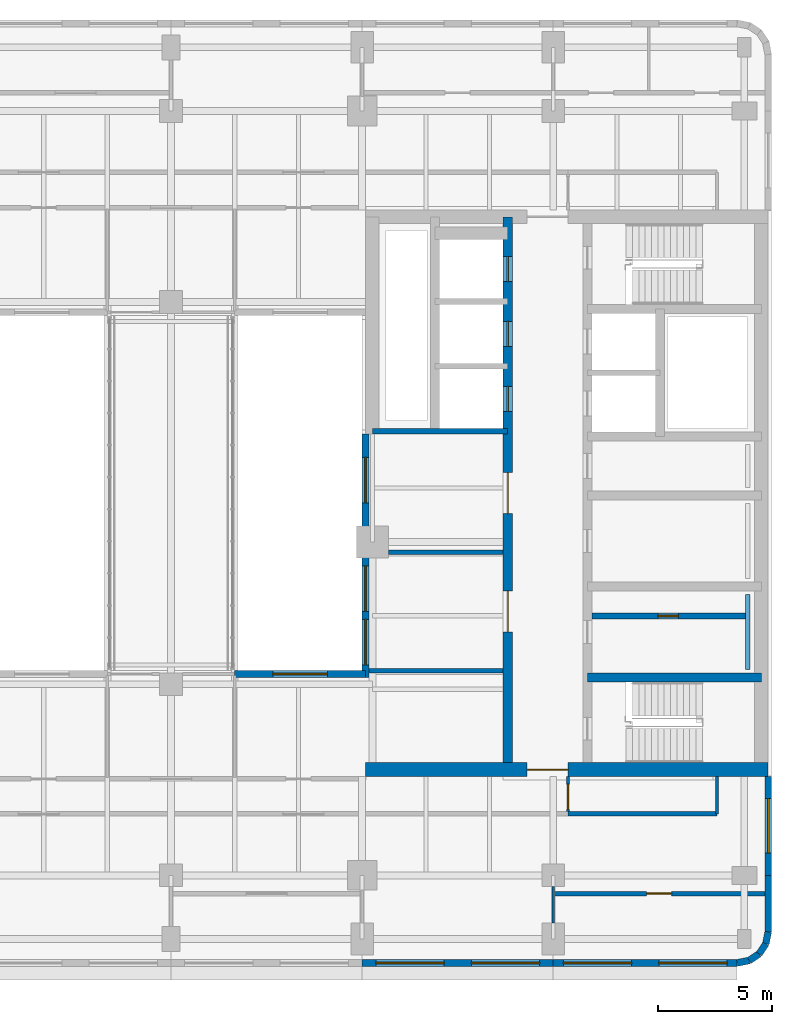
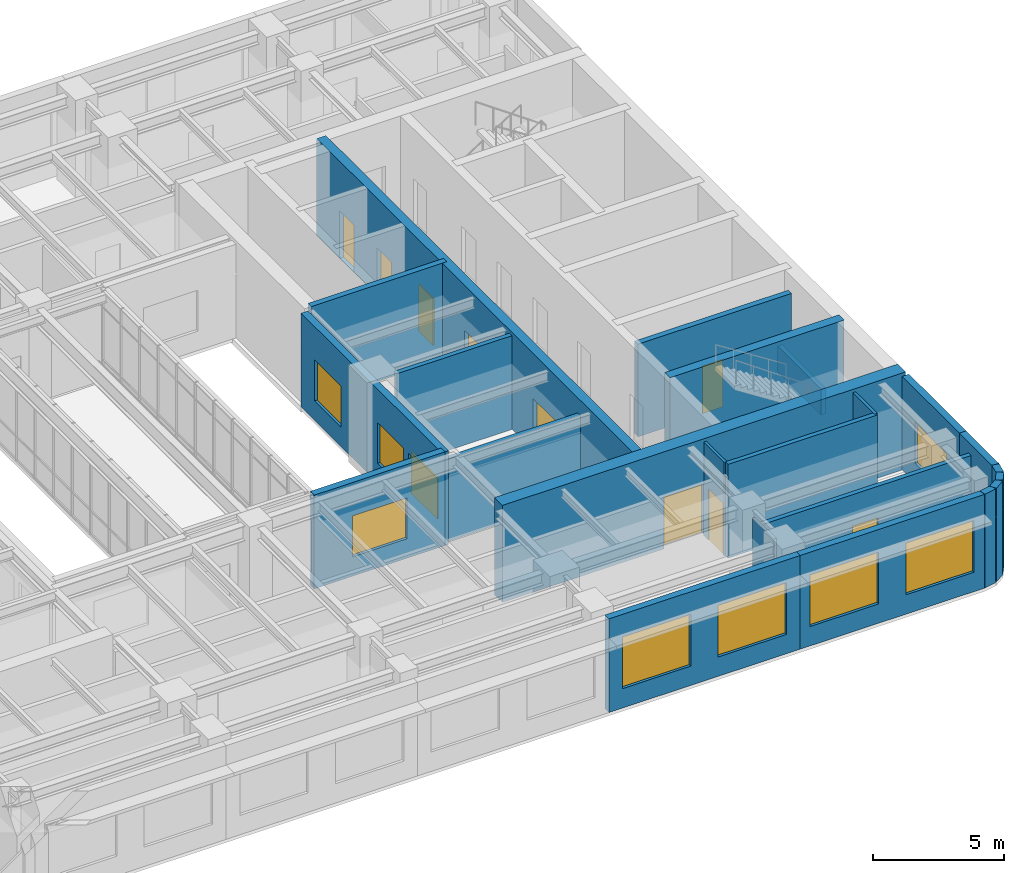
# One storey, part 8 of 14: 23 walls, 9 doors, 9 windows, 18 openings.
"""IFC4 building model written with IfcOpenShell, lengths in metres."""

from ifc_helpers import new_model, si_unit, direction, frame, frame_2d, origin, place, context, subcontext, project, spatial, rectangle, extrude, material, layer, layer_set, type_object, element, fill, save


model = new_model("IFC4")

# Units and contexts
model_context = context("Model", 3, precision=1e-05, world=origin(), true_north=direction((0.0, 1.0)))
body_context = subcontext(model_context, "Body", "Model", "MODEL_VIEW")
ifc_project = project(units=[si_unit("LENGTHUNIT", "METRE"), si_unit("AREAUNIT", "SQUARE_METRE"), si_unit("VOLUMEUNIT", "CUBIC_METRE"), si_unit("PLANEANGLEUNIT", "RADIAN"), si_unit("MASSUNIT", "GRAM", prefix="KILO")], contexts=[model_context])

# Site, building, storey
site_placement = place(None, origin())
site = spatial("IfcSite", under=ifc_project, at=site_placement, CompositionType="ELEMENT")
building_placement = place(site_placement, origin())
building = spatial("IfcBuilding", under=site, at=building_placement, Name="Claustro Exchange Tower", CompositionType="ELEMENT")
storey_placement = place(building_placement, frame((0.0, 0.0, 250.199951171875)))
storey = spatial("IfcBuildingStorey", under=building, at=storey_placement, Name="L57", CompositionType="ELEMENT", Elevation=250.199951171875)

# Wall
ifc_material_1 = material(Name="Laminated glass in aluminium frame", Category="aluminium")
ifc_layer_1 = layer(ifc_material_1, 0.1201171875)
ifc_layer_set_1 = layer_set([ifc_layer_1], Name="Laminated glass in aluminium frame")
wall_type_1 = type_object("IfcWallType", Name="P2 120 glazed partition", PredefinedType="PARTITIONING", material=ifc_layer_set_1)
wall_1_placement = place(storey_placement, frame((42.0, 6.299072265625, 0.0), z_axis=(0.0, 0.0, 1.0), x_axis=(0.0, 1.0, 0.0)))
element("IfcWall", 1, at=wall_1_placement, inside=storey, type_object=wall_type_1, Name="Partition P2 L57", PredefinedType="PARTITIONING", context=body_context, shape_type="SweptSolid", body=[
    extrude(rectangle(XDim=1.60302734375, YDim=0.1201171875, at=frame_2d((0.801513671875, 0.0))), origin(), (0.0, 0.0, 1.0), 3.989990234375),
])

# Wall, opening, door
wall_2_placement = place(storey_placement, frame((42.64990234375, 11.197998046875, 0.0), z_axis=(0.0, 0.0, 1.0), x_axis=(0.0, 1.0, 0.0)))
wall_2 = element("IfcWall", 2, at=wall_2_placement, inside=storey, type_object=wall_type_1, Name="Partition P2 L57", PredefinedType="PARTITIONING", context=body_context, shape_type="SweptSolid", body=[
    extrude(rectangle(XDim=1.553955078125, YDim=0.1201171875, at=frame_2d((0.77685546875, 0.0))), origin(), (0.0, 0.0, 1.0), 4.35009765625),
])
opening_1_placement = place(wall_2_placement, frame((0.10205078125, 0.0, 0.0)))
opening_1 = element("IfcOpeningElement", 3, at=opening_1_placement, cuts=wall_2, Name="Opening D8", PredefinedType="OPENING", context=body_context, shape_type="SweptSolid", body=[
    extrude(rectangle(XDim=1.10009765625, YDim=2.39990234375, at=frame_2d((0.550048828125, 1.199951171875))), frame((0.0, 0.070068359375, 0.0), z_axis=(0.0, -1.0, 0.0), x_axis=(1.0, 0.0, 0.0)), (0.0, 0.0, 1.0), 0.14013671875),
])
ifc_material_2 = material(Name="Timber door, walnut veneer", Category="wood")
door_type_1 = type_object("IfcDoorType", Name="D8 1100 x 2400 executive door", OperationType="SINGLE_SWING_LEFT", PredefinedType="DOOR", material=ifc_material_2)
door_1_placement = place(opening_1_placement, frame((1.10009765625, 0.0, 0.0), z_axis=(0.0, 0.0, 1.0), x_axis=(-1.0, 0.0, 0.0)))
door_1 = element("IfcDoor", 4, at=door_1_placement, inside=storey, type_object=door_type_1, Name="Door D8 L57", OperationType="SINGLE_SWING_LEFT", OverallHeight=2.39990234375, OverallWidth=1.10009765625, PredefinedType="DOOR", context=body_context, shape_type="SweptSolid", body=[
    extrude(rectangle(XDim=1.10009765625, YDim=2.39990234375, at=frame_2d((0.550048828125, 1.199951171875))), frame((0.0, 0.02490234375, 0.0), z_axis=(0.0, -1.0, 0.0), x_axis=(1.0, 0.0, 0.0)), (0.0, 0.0, 1.0), 0.050048828125),
])
fill(opening_1, door_1)

# Walls
wall_3_placement = place(storey_placement, frame((49.199951171875, 11.10009765625, 0.0), z_axis=(0.0, 0.0, 1.0), x_axis=(0.0, 1.0, 0.0)))
element("IfcWall", 5, at=wall_3_placement, inside=storey, type_object=wall_type_1, Name="Partition P2 L57", PredefinedType="PARTITIONING", context=body_context, shape_type="SweptSolid", body=[
    extrude(rectangle(XDim=1.65185546875, YDim=0.1201171875, at=frame_2d((0.825927734375, 0.0))), origin(), (0.0, 0.0, 1.0), 4.35009765625),
])
ifc_material_3 = material(Name="Twin-skin gypsum board on steel studs, mineral wool", Category="steel")
ifc_layer_2 = layer(ifc_material_3, 0.199951171875)
ifc_layer_set_2 = layer_set([ifc_layer_2], Name="Twin-skin gypsum board on steel studs, mineral wool")
wall_type_2 = type_object("IfcWallType", Name="P3 200 acoustic partition", PredefinedType="PARTITIONING", material=ifc_layer_set_2)
wall_4_placement = place(storey_placement, frame((33.89794921875, 17.39990234375, 0.0), z_axis=(0.0, 0.0, 1.0), x_axis=(1.0, 0.0, 0.0)))
element("IfcWall", 6, at=wall_4_placement, inside=storey, type_object=wall_type_2, Name="Partition P3 L57", PredefinedType="PARTITIONING", context=body_context, shape_type="SweptSolid", body=[
    extrude(rectangle(XDim=5.904052734375, YDim=0.199951171875, at=frame_2d((2.9521484375, 0.0))), origin(), (0.0, 0.0, 1.0), 3.800048828125),
])
wall_5_placement = place(storey_placement, frame((34.7490234375, 22.60009765625, 0.0), z_axis=(0.0, 0.0, 1.0), x_axis=(1.0, 0.0, 0.0)))
element("IfcWall", 7, at=wall_5_placement, inside=storey, type_object=wall_type_2, Name="Partition P3 L57", PredefinedType="PARTITIONING", context=body_context, shape_type="SweptSolid", body=[
    extrude(rectangle(XDim=5.052978515625, YDim=0.199951171875, at=frame_2d((2.5263671875, 0.0))), origin(), (0.0, 0.0, 1.0), 4.35009765625),
])

# Wall, opening, door
wall_6_placement = place(storey_placement, frame((42.0, 7.60009765625, 0.0), z_axis=(0.0, 0.0, 1.0), x_axis=(1.0, 0.0, 0.0)))
wall_6 = element("IfcWall", 8, at=wall_6_placement, inside=storey, type_object=wall_type_2, Name="Partition P3 L57", PredefinedType="PARTITIONING", context=body_context, shape_type="SweptSolid", body=[
    extrude(rectangle(XDim=9.302001953125, YDim=0.199951171875, at=frame_2d((4.65087890625, 0.0))), origin(), (0.0, 0.0, 1.0), 3.860107421875),
])
opening_2_placement = place(wall_6_placement, frame((4.10009765625, 0.0, 0.0)))
opening_2 = element("IfcOpeningElement", 9, at=opening_2_placement, cuts=wall_6, Name="Opening D8", PredefinedType="OPENING", context=body_context, shape_type="SweptSolid", body=[
    extrude(rectangle(XDim=1.10009765625, YDim=2.39990234375, at=frame_2d((0.550048828125, 1.199951171875))), frame((0.0, 0.10986328125, 0.0), z_axis=(0.0, -1.0, 0.0), x_axis=(1.0, 0.0, 0.0)), (0.0, 0.0, 1.0), 0.219970703125),
])
door_2_placement = place(opening_2_placement, frame((1.10009765625, 0.0, 0.0), z_axis=(0.0, 0.0, 1.0), x_axis=(-1.0, 0.0, 0.0)))
door_2 = element("IfcDoor", 10, at=door_2_placement, inside=storey, type_object=door_type_1, Name="Door D8 L57", OperationType="SINGLE_SWING_RIGHT", OverallHeight=2.39990234375, OverallWidth=1.10009765625, PredefinedType="DOOR", context=body_context, shape_type="SweptSolid", body=[
    extrude(rectangle(XDim=1.10009765625, YDim=2.39990234375, at=frame_2d((0.550048828125, 1.199951171875))), frame((0.0, 0.02490234375, 0.0), z_axis=(0.0, -1.0, 0.0), x_axis=(1.0, 0.0, 0.0)), (0.0, 0.0, 1.0), 0.050048828125),
])
fill(opening_2, door_2)

# Wall
wall_7_placement = place(storey_placement, frame((42.64794921875, 11.10009765625, 0.0), z_axis=(0.0, 0.0, 1.0), x_axis=(1.0, 0.0, 0.0)))
element("IfcWall", 11, at=wall_7_placement, inside=storey, type_object=wall_type_2, Name="Partition P3 L57", PredefinedType="PARTITIONING", context=body_context, shape_type="SweptSolid", body=[
    extrude(rectangle(XDim=6.552001953125, YDim=0.199951171875, at=frame_2d((3.27587890625, 0.0))), origin(), (0.0, 0.0, 1.0), 4.35009765625),
])

# Wall, opening, door
ifc_material_4 = material(Name="Concrete blockwork, rendered", Category="masonry")
ifc_layer_3 = layer(ifc_material_4, 0.25)
ifc_layer_set_3 = layer_set([ifc_layer_3], Name="Concrete blockwork, rendered")
wall_type_3 = type_object("IfcWallType", Name="P4 250 blockwork wall", PredefinedType="PARTITIONING", material=ifc_layer_set_3)
wall_8_placement = place(storey_placement, frame((43.699951171875, 19.800048828125, 0.0), z_axis=(0.0, 0.0, 1.0), x_axis=(1.0, 0.0, 0.0)))
wall_8 = element("IfcWall", 12, at=wall_8_placement, inside=storey, type_object=wall_type_3, Name="Partition P4 L57", PredefinedType="PARTITIONING", context=body_context, shape_type="SweptSolid", body=[
    extrude(rectangle(XDim=6.75, YDim=0.25, at=frame_2d((3.375, 0.0))), origin(), (0.0, 0.0, 1.0), 4.300048828125),
])
opening_3_placement = place(wall_8_placement, frame((2.89990234375, 0.0, 0.0)))
opening_3 = element("IfcOpeningElement", 13, at=opening_3_placement, cuts=wall_8, Name="Opening D5", PredefinedType="OPENING", context=body_context, shape_type="SweptSolid", body=[
    extrude(rectangle(XDim=0.89990234375, YDim=2.199951171875, at=frame_2d((0.449951171875, 1.10009765625))), frame((0.0, 0.135009765625, 0.0), z_axis=(0.0, -1.0, 0.0), x_axis=(1.0, 0.0, 0.0)), (0.0, 0.0, 1.0), 0.27001953125),
])
ifc_material_5 = material(Name="Steel door, painted", Category="steel")
door_type_2 = type_object("IfcDoorType", Name="D5 900 x 2200 store door", OperationType="SINGLE_SWING_LEFT", PredefinedType="DOOR", material=ifc_material_5)
door_3_placement = place(opening_3_placement, origin())
door_3 = element("IfcDoor", 14, at=door_3_placement, inside=storey, type_object=door_type_2, Name="Store door D5 L57", OperationType="SINGLE_SWING_RIGHT", OverallHeight=2.199951171875, OverallWidth=0.89990234375, PredefinedType="DOOR", context=body_context, shape_type="SweptSolid", body=[
    extrude(rectangle(XDim=0.89990234375, YDim=2.199951171875, at=frame_2d((0.449951171875, 1.10009765625))), frame((0.0, 0.02490234375, 0.0), z_axis=(0.0, -1.0, 0.0), x_axis=(1.0, 0.0, 0.0)), (0.0, 0.0, 1.0), 0.050048828125),
])
fill(opening_3, door_3)

# Wall, openings, windows
ifc_material_6 = material(Name="Concrete HA-40 (C40/50), precast, white cement, acid-etched", Category="concrete")
ifc_layer_4 = layer(ifc_material_6, 0.300048828125)
ifc_layer_set_4 = layer_set([ifc_layer_4], Name="Concrete HA-40 (C40/50), precast, white cement, acid-etched")
wall_type_4 = type_object("IfcWallType", Name="PC1 300 precast concrete pier panel", PredefinedType="SOLIDWALL", material=ifc_layer_set_4)
wall_9_placement = place(storey_placement, frame((50.085205078125, 4.550048828125, 0.0), z_axis=(0.0, 0.0, 1.0), x_axis=(-1.0, 0.0, 0.0)))
wall_9 = element("IfcWall", 15, at=wall_9_placement, inside=storey, type_object=wall_type_4, Name="Precast pier panel PC1 L57", PredefinedType="SOLIDWALL", context=body_context, shape_type="SweptSolid", body=[
    extrude(rectangle(XDim=8.085205078125, YDim=0.300048828125, at=frame_2d((4.04248046875, 0.0))), origin(), (0.0, 0.0, 1.0), 4.35009765625),
])
opening_4_placement = place(wall_9_placement, frame((0.442626953125, 0.0, 0.89990234375)))
opening_4 = element("IfcOpeningElement", 16, at=opening_4_placement, cuts=wall_9, Name="Opening W3", PredefinedType="OPENING", context=body_context, shape_type="SweptSolid", body=[
    extrude(rectangle(XDim=3.0, YDim=2.39990234375, at=frame_2d((1.5, 1.199951171875))), frame((0.0, 0.159912109375, 0.0), z_axis=(0.0, -1.0, 0.0), x_axis=(1.0, 0.0, 0.0)), (0.0, 0.0, 1.0), 0.320068359375),
])
opening_5_placement = place(wall_9_placement, frame((4.642578125, 0.0, 0.89990234375)))
opening_5 = element("IfcOpeningElement", 17, at=opening_5_placement, cuts=wall_9, Name="Opening W3", PredefinedType="OPENING", context=body_context, shape_type="SweptSolid", body=[
    extrude(rectangle(XDim=3.0, YDim=2.39990234375, at=frame_2d((1.5, 1.199951171875))), frame((0.0, 0.159912109375, 0.0), z_axis=(0.0, -1.0, 0.0), x_axis=(1.0, 0.0, 0.0)), (0.0, 0.0, 1.0), 0.320068359375),
])
ifc_material_7 = material(Name="Aluminium frame, clear double glazing", Category="aluminium")
window_type_1 = type_object("IfcWindowType", Name="W3 3000 x 2400 window", PartitioningType="SINGLE_PANEL", PredefinedType="WINDOW", material=ifc_material_7)
window_1_placement = place(opening_4_placement, origin())
window_1 = element("IfcWindow", 18, at=window_1_placement, inside=storey, type_object=window_type_1, Name="Window W3 L57", OverallHeight=2.39990234375, OverallWidth=3.0, PartitioningType="SINGLE_PANEL", PredefinedType="WINDOW", context=body_context, shape_type="SweptSolid", body=[
    extrude(rectangle(XDim=3.0, YDim=2.39990234375, at=frame_2d((1.5, 1.199951171875))), frame((0.0, 0.030029296875, 0.0), z_axis=(0.0, -1.0, 0.0), x_axis=(1.0, 0.0, 0.0)), (0.0, 0.0, 1.0), 0.06005859375),
])
fill(opening_4, window_1)
window_2_placement = place(opening_5_placement, origin())
window_2 = element("IfcWindow", 19, at=window_2_placement, inside=storey, type_object=window_type_1, Name="Window W3 L57", OverallHeight=2.39990234375, OverallWidth=3.0, PartitioningType="SINGLE_PANEL", PredefinedType="WINDOW", context=body_context, shape_type="SweptSolid", body=[
    extrude(rectangle(XDim=3.0, YDim=2.39990234375, at=frame_2d((1.5, 1.199951171875))), frame((0.0, 0.030029296875, 0.0), z_axis=(0.0, -1.0, 0.0), x_axis=(1.0, 0.0, 0.0)), (0.0, 0.0, 1.0), 0.06005859375),
])
fill(opening_5, window_2)

wall_10_placement = place(storey_placement, frame((42.0, 4.550048828125, 0.0), z_axis=(0.0, 0.0, 1.0), x_axis=(-1.0, 0.0, 0.0)))
wall_10 = element("IfcWall", 20, at=wall_10_placement, inside=storey, type_object=wall_type_4, Name="Precast pier panel PC1 L57", PredefinedType="SOLIDWALL", context=body_context, shape_type="SweptSolid", body=[
    extrude(rectangle(XDim=8.39990234375, YDim=0.300048828125, at=frame_2d((4.199951171875, 0.0))), origin(), (0.0, 0.0, 1.0), 4.35009765625),
])
opening_6_placement = place(wall_10_placement, frame((0.60009765625, 0.0, 0.89990234375)))
opening_6 = element("IfcOpeningElement", 21, at=opening_6_placement, cuts=wall_10, Name="Opening W3", PredefinedType="OPENING", context=body_context, shape_type="SweptSolid", body=[
    extrude(rectangle(XDim=3.0, YDim=2.39990234375, at=frame_2d((1.5, 1.199951171875))), frame((0.0, 0.159912109375, 0.0), z_axis=(0.0, -1.0, 0.0), x_axis=(1.0, 0.0, 0.0)), (0.0, 0.0, 1.0), 0.320068359375),
])
opening_7_placement = place(wall_10_placement, frame((4.800048828125, 0.0, 0.89990234375)))
opening_7 = element("IfcOpeningElement", 22, at=opening_7_placement, cuts=wall_10, Name="Opening W3", PredefinedType="OPENING", context=body_context, shape_type="SweptSolid", body=[
    extrude(rectangle(XDim=3.0, YDim=2.39990234375, at=frame_2d((1.5, 1.199951171875))), frame((0.0, 0.159912109375, 0.0), z_axis=(0.0, -1.0, 0.0), x_axis=(1.0, 0.0, 0.0)), (0.0, 0.0, 1.0), 0.320068359375),
])
window_3_placement = place(opening_6_placement, origin())
window_3 = element("IfcWindow", 23, at=window_3_placement, inside=storey, type_object=window_type_1, Name="Window W3 L57", OverallHeight=2.39990234375, OverallWidth=3.0, PartitioningType="SINGLE_PANEL", PredefinedType="WINDOW", context=body_context, shape_type="SweptSolid", body=[
    extrude(rectangle(XDim=3.0, YDim=2.39990234375, at=frame_2d((1.5, 1.199951171875))), frame((0.0, 0.030029296875, 0.0), z_axis=(0.0, -1.0, 0.0), x_axis=(1.0, 0.0, 0.0)), (0.0, 0.0, 1.0), 0.06005859375),
])
fill(opening_6, window_3)
window_4_placement = place(opening_7_placement, origin())
window_4 = element("IfcWindow", 24, at=window_4_placement, inside=storey, type_object=window_type_1, Name="Window W3 L57", OverallHeight=2.39990234375, OverallWidth=3.0, PartitioningType="SINGLE_PANEL", PredefinedType="WINDOW", context=body_context, shape_type="SweptSolid", body=[
    extrude(rectangle(XDim=3.0, YDim=2.39990234375, at=frame_2d((1.5, 1.199951171875))), frame((0.0, 0.030029296875, 0.0), z_axis=(0.0, -1.0, 0.0), x_axis=(1.0, 0.0, 0.0)), (0.0, 0.0, 1.0), 0.06005859375),
])
fill(opening_7, window_4)

# Wall, opening, window
wall_11_placement = place(storey_placement, frame((51.449951171875, 12.75, 0.0), z_axis=(0.0, 0.0, 1.0), x_axis=(0.0, -1.0, 0.0)))
wall_11 = element("IfcWall", 25, at=wall_11_placement, inside=storey, type_object=wall_type_4, Name="Precast pier panel PC1 L57", PredefinedType="SOLIDWALL", context=body_context, shape_type="SweptSolid", body=[
    extrude(rectangle(XDim=4.35009765625, YDim=0.300048828125, at=frame_2d((2.175048828125, 0.0))), origin(), (0.0, 0.0, 1.0), 4.35009765625),
])
opening_8_placement = place(wall_11_placement, frame((0.97509765625, 0.0, 0.89990234375)))
opening_8 = element("IfcOpeningElement", 26, at=opening_8_placement, cuts=wall_11, Name="Opening W2", PredefinedType="OPENING", context=body_context, shape_type="SweptSolid", body=[
    extrude(rectangle(XDim=2.39990234375, YDim=1.89990234375, at=frame_2d((1.199951171875, 0.949951171875))), frame((0.0, 0.159912109375, 0.0), z_axis=(0.0, -1.0, 0.0), x_axis=(1.0, 0.0, 0.0)), (0.0, 0.0, 1.0), 0.320068359375),
])
ifc_material_8 = material(Name="Aluminium frame, clear double glazing", Category="aluminium")
window_type_2 = type_object("IfcWindowType", Name="W2 2400 x 1900 window", PartitioningType="SINGLE_PANEL", PredefinedType="WINDOW", material=ifc_material_8)
window_5_placement = place(opening_8_placement, origin())
window_5 = element("IfcWindow", 27, at=window_5_placement, inside=storey, type_object=window_type_2, Name="Window W2 L57", OverallHeight=1.89990234375, OverallWidth=2.39990234375, PartitioningType="SINGLE_PANEL", PredefinedType="WINDOW", context=body_context, shape_type="SweptSolid", body=[
    extrude(rectangle(XDim=2.39990234375, YDim=1.89990234375, at=frame_2d((1.199951171875, 0.949951171875))), frame((0.0, 0.030029296875, 0.0), z_axis=(0.0, -1.0, 0.0), x_axis=(1.0, 0.0, 0.0)), (0.0, 0.0, 1.0), 0.06005859375),
])
fill(opening_8, window_5)

# Walls
wall_12_placement = place(storey_placement, frame((51.449951171875, 8.39990234375, 0.0), z_axis=(0.0, 0.0, 1.0), x_axis=(0.0, -1.0, 0.0)))
element("IfcWall", 28, at=wall_12_placement, inside=storey, type_object=wall_type_4, Name="Precast pier panel PC1 L57", PredefinedType="SOLIDWALL", context=body_context, shape_type="SweptSolid", body=[
    extrude(rectangle(XDim=2.485107421875, YDim=0.300048828125, at=frame_2d((1.24267578125, 0.0))), origin(), (0.0, 0.0, 1.0), 4.35009765625),
])
wall_13_placement = place(storey_placement, frame((51.449951171875, 5.914794921875, 0.0), z_axis=(0.0, 0.0, 1.0), x_axis=(-0.195073962632, -0.980788534345, 0.0)))
element("IfcWall", 29, at=wall_13_placement, inside=storey, type_object=wall_type_4, Name="Precast pier panel PC1 L57", PredefinedType="SOLIDWALL", context=body_context, shape_type="SweptSolid", body=[
    extrude(rectangle(XDim=0.540771484375, YDim=0.300048828125, at=frame_2d((0.2705078125, 0.0))), origin(), (0.0, 0.0, 1.0), 4.35009765625),
])
for number, where, z_axis, x_axis, name in (
    (30, (51.344482421875, 5.384521484375, 0.0), (0.0, 0.0, 1.0), (-0.555557463938, -0.831478144188, 0.0), "Precast pier panel PC1 L57"),
    (31, (51.052490234375, 4.947509765625, 0.0), (0.0, 0.0, 1.0), (-0.831478144188, -0.555557463938, 0.0), "Precast pier panel PC1 L57"),
):
    element("IfcWall", number, at=place(storey_placement, frame(where, z_axis=z_axis, x_axis=x_axis)), inside=storey, type_object=wall_type_4, Name=name, PredefinedType="SOLIDWALL", context=body_context, shape_type="SweptSolid", body=[
        extrude(rectangle(XDim=0.525634765625, YDim=0.300048828125, at=frame_2d((0.2626953125, 0.0))), origin(), (0.0, 0.0, 1.0), 4.35009765625),
    ])
wall_14_placement = place(storey_placement, frame((50.615478515625, 4.655517578125, 0.0), z_axis=(0.0, 0.0, 1.0), x_axis=(-0.980788534345, -0.195073962632, 0.0)))
element("IfcWall", 32, at=wall_14_placement, inside=storey, type_object=wall_type_4, Name="Precast pier panel PC1 L57", PredefinedType="SOLIDWALL", context=body_context, shape_type="SweptSolid", body=[
    extrude(rectangle(XDim=0.540771484375, YDim=0.300048828125, at=frame_2d((0.2705078125, 0.0))), origin(), (0.0, 0.0, 1.0), 4.35009765625),
])

# Wall, openings, windows
wall_15_placement = place(storey_placement, frame((33.75, 17.10009765625, 0.0), z_axis=(0.0, 0.0, 1.0), x_axis=(0.0, 1.0, 0.0)))
wall_15 = element("IfcWall", 33, at=wall_15_placement, inside=storey, type_object=wall_type_4, Name="Precast pier panel PC1 L57", PredefinedType="SOLIDWALL", context=body_context, shape_type="SweptSolid", body=[
    extrude(rectangle(XDim=10.699951171875, YDim=0.300048828125, at=frame_2d((5.35009765625, 0.0))), origin(), (0.0, 0.0, 1.0), 4.35009765625),
])
opening_9_placement = place(wall_15_placement, frame((0.550048828125, 0.0, 0.89990234375)))
opening_9 = element("IfcOpeningElement", 34, at=opening_9_placement, cuts=wall_15, Name="Opening W4", PredefinedType="OPENING", context=body_context, shape_type="SweptSolid", body=[
    extrude(rectangle(XDim=2.0, YDim=1.89990234375, at=frame_2d((1.0, 0.949951171875))), frame((0.0, 0.159912109375, 0.0), z_axis=(0.0, -1.0, 0.0), x_axis=(1.0, 0.0, 0.0)), (0.0, 0.0, 1.0), 0.320068359375),
])
opening_10_placement = place(wall_15_placement, frame((2.89990234375, 0.0, 0.89990234375)))
opening_10 = element("IfcOpeningElement", 35, at=opening_10_placement, cuts=wall_15, Name="Opening W4", PredefinedType="OPENING", context=body_context, shape_type="SweptSolid", body=[
    extrude(rectangle(XDim=2.0, YDim=1.89990234375, at=frame_2d((1.0, 0.949951171875))), frame((0.0, 0.159912109375, 0.0), z_axis=(0.0, -1.0, 0.0), x_axis=(1.0, 0.0, 0.0)), (0.0, 0.0, 1.0), 0.320068359375),
])
opening_11_placement = place(wall_15_placement, frame((7.675048828125, 0.0, 0.89990234375)))
opening_11 = element("IfcOpeningElement", 36, at=opening_11_placement, cuts=wall_15, Name="Opening W4", PredefinedType="OPENING", context=body_context, shape_type="SweptSolid", body=[
    extrude(rectangle(XDim=2.0, YDim=1.89990234375, at=frame_2d((1.0, 0.949951171875))), frame((0.0, 0.159912109375, 0.0), z_axis=(0.0, -1.0, 0.0), x_axis=(1.0, 0.0, 0.0)), (0.0, 0.0, 1.0), 0.320068359375),
])
ifc_material_9 = material(Name="Aluminium frame, clear double glazing", Category="aluminium")
window_type_3 = type_object("IfcWindowType", Name="W4 2000 x 1900 light well window", PartitioningType="SINGLE_PANEL", PredefinedType="WINDOW", material=ifc_material_9)
window_6_placement = place(opening_9_placement, origin())
window_6 = element("IfcWindow", 37, at=window_6_placement, inside=storey, type_object=window_type_3, Name="Window W4 L57", OverallHeight=1.89990234375, OverallWidth=2.0, PartitioningType="SINGLE_PANEL", PredefinedType="WINDOW", context=body_context, shape_type="SweptSolid", body=[
    extrude(rectangle(XDim=2.0, YDim=1.89990234375, at=frame_2d((1.0, 0.949951171875))), frame((0.0, 0.030029296875, 0.0), z_axis=(0.0, -1.0, 0.0), x_axis=(1.0, 0.0, 0.0)), (0.0, 0.0, 1.0), 0.06005859375),
])
fill(opening_9, window_6)
window_7_placement = place(opening_10_placement, origin())
window_7 = element("IfcWindow", 38, at=window_7_placement, inside=storey, type_object=window_type_3, Name="Window W4 L57", OverallHeight=1.89990234375, OverallWidth=2.0, PartitioningType="SINGLE_PANEL", PredefinedType="WINDOW", context=body_context, shape_type="SweptSolid", body=[
    extrude(rectangle(XDim=2.0, YDim=1.89990234375, at=frame_2d((1.0, 0.949951171875))), frame((0.0, 0.030029296875, 0.0), z_axis=(0.0, -1.0, 0.0), x_axis=(1.0, 0.0, 0.0)), (0.0, 0.0, 1.0), 0.06005859375),
])
fill(opening_10, window_7)
window_8_placement = place(opening_11_placement, origin())
window_8 = element("IfcWindow", 39, at=window_8_placement, inside=storey, type_object=window_type_3, Name="Window W4 L57", OverallHeight=1.89990234375, OverallWidth=2.0, PartitioningType="SINGLE_PANEL", PredefinedType="WINDOW", context=body_context, shape_type="SweptSolid", body=[
    extrude(rectangle(XDim=2.0, YDim=1.89990234375, at=frame_2d((1.0, 0.949951171875))), frame((0.0, 0.030029296875, 0.0), z_axis=(0.0, -1.0, 0.0), x_axis=(1.0, 0.0, 0.0)), (0.0, 0.0, 1.0), 0.06005859375),
])
fill(opening_11, window_8)

# Wall, opening, window
wall_16_placement = place(storey_placement, frame((28.0, 17.25, 0.0), z_axis=(0.0, 0.0, 1.0), x_axis=(1.0, 0.0, 0.0)))
wall_16 = element("IfcWall", 40, at=wall_16_placement, inside=storey, type_object=wall_type_4, Name="Precast pier panel PC1 L57", PredefinedType="SOLIDWALL", context=body_context, shape_type="SweptSolid", body=[
    extrude(rectangle(XDim=5.75, YDim=0.300048828125, at=frame_2d((2.875, 0.0))), origin(), (0.0, 0.0, 1.0), 4.35009765625),
])
opening_12_placement = place(wall_16_placement, frame((1.675048828125, 0.0, 0.89990234375)))
opening_12 = element("IfcOpeningElement", 41, at=opening_12_placement, cuts=wall_16, Name="Opening W2", PredefinedType="OPENING", context=body_context, shape_type="SweptSolid", body=[
    extrude(rectangle(XDim=2.39990234375, YDim=1.89990234375, at=frame_2d((1.199951171875, 0.949951171875))), frame((0.0, 0.159912109375, 0.0), z_axis=(0.0, -1.0, 0.0), x_axis=(1.0, 0.0, 0.0)), (0.0, 0.0, 1.0), 0.320068359375),
])
window_9_placement = place(opening_12_placement, origin())
window_9 = element("IfcWindow", 42, at=window_9_placement, inside=storey, type_object=window_type_2, Name="Window W2 L57", OverallHeight=1.89990234375, OverallWidth=2.39990234375, PartitioningType="SINGLE_PANEL", PredefinedType="WINDOW", context=body_context, shape_type="SweptSolid", body=[
    extrude(rectangle(XDim=2.39990234375, YDim=1.89990234375, at=frame_2d((1.199951171875, 0.949951171875))), frame((0.0, 0.030029296875, 0.0), z_axis=(0.0, -1.0, 0.0), x_axis=(1.0, 0.0, 0.0)), (0.0, 0.0, 1.0), 0.06005859375),
])
fill(opening_12, window_9)

# Wall
ifc_material_10 = material(Name="Gypsum board on steel studs, tiled", Category="steel")
ifc_layer_5 = layer(ifc_material_10, 0.199951171875)
ifc_layer_set_5 = layer_set([ifc_layer_5], Name="Gypsum board on steel studs, tiled")
wall_type_5 = type_object("IfcWallType", Name="PW1 200 WC duct wall", PredefinedType="PLUMBINGWALL", material=ifc_layer_set_5)
wall_17_placement = place(storey_placement, frame((50.550048828125, 17.449951171875, 0.0), z_axis=(0.0, 0.0, 1.0), x_axis=(0.0, 1.0, 0.0)))
element("IfcWall", 43, at=wall_17_placement, inside=storey, type_object=wall_type_5, Name="WC duct wall PW1 L57", PredefinedType="PLUMBINGWALL", context=body_context, shape_type="SweptSolid", body=[
    extrude(rectangle(XDim=3.300048828125, YDim=0.199951171875, at=frame_2d((1.64990234375, 0.0))), origin(), (0.0, 0.0, 1.0), 1.199951171875),
])

# Wall, opening, door
ifc_material_11 = material(Name="Concrete HA-50 (C50/60)", Category="concrete")
ifc_layer_6 = layer(ifc_material_11, 0.60009765625)
ifc_layer_set_6 = layer_set([ifc_layer_6], Name="Concrete HA-50 (C50/60)")
wall_type_6 = type_object("IfcWallType", Name="SW3 600 core shear wall", PredefinedType="SHEAR", material=ifc_layer_set_6)
wall_18_placement = place(storey_placement, frame((33.75, 13.050048828125, 0.0), z_axis=(0.0, 0.0, 1.0), x_axis=(1.0, 0.0, 0.0)))
wall_18 = element("IfcWall", 44, at=wall_18_placement, inside=storey, type_object=wall_type_6, Name="Core wall SW3 E core S face L57", PredefinedType="SHEAR", context=body_context, shape_type="SweptSolid", body=[
    extrude(rectangle(XDim=17.699951171875, YDim=0.60009765625, at=frame_2d((8.85009765625, 0.0))), origin(), (0.0, 0.0, 1.0), 4.5),
])
opening_13_placement = place(wall_18_placement, frame((7.10009765625, 0.0, 0.0)))
opening_13 = element("IfcOpeningElement", 45, at=opening_13_placement, cuts=wall_18, Name="Opening D3", PredefinedType="OPENING", context=body_context, shape_type="SweptSolid", body=[
    extrude(rectangle(XDim=1.800048828125, YDim=2.39990234375, at=frame_2d((0.89990234375, 1.199951171875))), frame((0.0, 0.31005859375, 0.0), z_axis=(0.0, -1.0, 0.0), x_axis=(1.0, 0.0, 0.0)), (0.0, 0.0, 1.0), 0.6201171875),
])
ifc_material_12 = material(Name="Steel fire door, painted", Category="steel")
door_type_3 = type_object("IfcDoorType", Name="D3 1800 x 2400 fire-rated lobby double door", OperationType="DOUBLE_DOOR_SINGLE_SWING", PredefinedType="DOOR", material=ifc_material_12)
door_4_placement = place(opening_13_placement, origin())
door_4 = element("IfcDoor", 46, at=door_4_placement, inside=storey, type_object=door_type_3, Name="Lift lobby door D3 L57", OperationType="DOUBLE_DOOR_SINGLE_SWING", OverallHeight=2.39990234375, OverallWidth=1.800048828125, PredefinedType="DOOR", context=body_context, shape_type="SweptSolid", body=[
    extrude(rectangle(XDim=1.800048828125, YDim=2.39990234375, at=frame_2d((0.89990234375, 1.199951171875))), frame((0.0, 0.02490234375, 0.0), z_axis=(0.0, -1.0, 0.0), x_axis=(1.0, 0.0, 0.0)), (0.0, 0.0, 1.0), 0.050048828125),
])
fill(opening_13, door_4)

# Wall, openings, doors
ifc_material_13 = material(Name="Concrete HA-50 (C50/60)", Category="concrete")
ifc_layer_7 = layer(ifc_material_13, 0.39990234375)
ifc_layer_set_7 = layer_set([ifc_layer_7], Name="Concrete HA-50 (C50/60)")
wall_type_7 = type_object("IfcWallType", Name="SW4 400 internal core wall", PredefinedType="SHEAR", material=ifc_layer_set_7)
wall_19_placement = place(storey_placement, frame((40.0, 13.050048828125, 0.0), z_axis=(0.0, 0.0, 1.0), x_axis=(0.0, 1.0, 0.0)))
wall_19 = element("IfcWall", 47, at=wall_19_placement, inside=storey, type_object=wall_type_7, Name="Internal core wall SW4 E core L57", PredefinedType="SHEAR", context=body_context, shape_type="SweptSolid", body=[
    extrude(rectangle(XDim=24.300048828125, YDim=0.39990234375, at=frame_2d((12.14990234375, 0.0))), origin(), (0.0, 0.0, 1.0), 4.5),
])
opening_14_placement = place(wall_19_placement, frame((15.75, 0.0, 0.0)))
opening_14 = element("IfcOpeningElement", 48, at=opening_14_placement, cuts=wall_19, Name="Opening LD", PredefinedType="OPENING", context=body_context, shape_type="SweptSolid", body=[
    extrude(rectangle(XDim=1.10009765625, YDim=2.199951171875, at=frame_2d((0.550048828125, 1.10009765625))), frame((0.0, 0.2099609375, 0.0), z_axis=(0.0, -1.0, 0.0), x_axis=(1.0, 0.0, 0.0)), (0.0, 0.0, 1.0), 0.419921875),
])
opening_15_placement = place(wall_19_placement, frame((18.60009765625, 0.0, 0.0)))
opening_15 = element("IfcOpeningElement", 49, at=opening_15_placement, cuts=wall_19, Name="Opening LD", PredefinedType="OPENING", context=body_context, shape_type="SweptSolid", body=[
    extrude(rectangle(XDim=1.10009765625, YDim=2.199951171875, at=frame_2d((0.550048828125, 1.10009765625))), frame((0.0, 0.2099609375, 0.0), z_axis=(0.0, -1.0, 0.0), x_axis=(1.0, 0.0, 0.0)), (0.0, 0.0, 1.0), 0.419921875),
])
opening_16_placement = place(wall_19_placement, frame((21.449951171875, 0.0, 0.0)))
opening_16 = element("IfcOpeningElement", 50, at=opening_16_placement, cuts=wall_19, Name="Opening LD", PredefinedType="OPENING", context=body_context, shape_type="SweptSolid", body=[
    extrude(rectangle(XDim=1.10009765625, YDim=2.199951171875, at=frame_2d((0.550048828125, 1.10009765625))), frame((0.0, 0.2099609375, 0.0), z_axis=(0.0, -1.0, 0.0), x_axis=(1.0, 0.0, 0.0)), (0.0, 0.0, 1.0), 0.419921875),
])
opening_17_placement = place(wall_19_placement, frame((6.050048828125, 0.0, 0.0)))
opening_17 = element("IfcOpeningElement", 51, at=opening_17_placement, cuts=wall_19, Name="Opening D3", PredefinedType="OPENING", context=body_context, shape_type="SweptSolid", body=[
    extrude(rectangle(XDim=1.800048828125, YDim=2.39990234375, at=frame_2d((0.89990234375, 1.199951171875))), frame((0.0, 0.2099609375, 0.0), z_axis=(0.0, -1.0, 0.0), x_axis=(1.0, 0.0, 0.0)), (0.0, 0.0, 1.0), 0.419921875),
])
opening_18_placement = place(wall_19_placement, frame((11.25, 0.0, 0.0)))
opening_18 = element("IfcOpeningElement", 52, at=opening_18_placement, cuts=wall_19, Name="Opening D3", PredefinedType="OPENING", context=body_context, shape_type="SweptSolid", body=[
    extrude(rectangle(XDim=1.800048828125, YDim=2.39990234375, at=frame_2d((0.89990234375, 1.199951171875))), frame((0.0, 0.2099609375, 0.0), z_axis=(0.0, -1.0, 0.0), x_axis=(1.0, 0.0, 0.0)), (0.0, 0.0, 1.0), 0.419921875),
])
door_5_placement = place(opening_17_placement, origin())
door_5 = element("IfcDoor", 53, at=door_5_placement, inside=storey, type_object=door_type_3, Name="Core zone door D3 L57", OperationType="DOUBLE_DOOR_SINGLE_SWING", OverallHeight=2.39990234375, OverallWidth=1.800048828125, PredefinedType="DOOR", context=body_context, shape_type="SweptSolid", body=[
    extrude(rectangle(XDim=1.800048828125, YDim=2.39990234375, at=frame_2d((0.89990234375, 1.199951171875))), frame((0.0, 0.02490234375, 0.0), z_axis=(0.0, -1.0, 0.0), x_axis=(1.0, 0.0, 0.0)), (0.0, 0.0, 1.0), 0.050048828125),
])
fill(opening_17, door_5)
door_6_placement = place(opening_18_placement, origin())
door_6 = element("IfcDoor", 54, at=door_6_placement, inside=storey, type_object=door_type_3, Name="Core zone door D3 L57", OperationType="DOUBLE_DOOR_SINGLE_SWING", OverallHeight=2.39990234375, OverallWidth=1.800048828125, PredefinedType="DOOR", context=body_context, shape_type="SweptSolid", body=[
    extrude(rectangle(XDim=1.800048828125, YDim=2.39990234375, at=frame_2d((0.89990234375, 1.199951171875))), frame((0.0, 0.02490234375, 0.0), z_axis=(0.0, -1.0, 0.0), x_axis=(1.0, 0.0, 0.0)), (0.0, 0.0, 1.0), 0.050048828125),
])
fill(opening_18, door_6)
ifc_material_14 = material(Name="Stainless steel sliding door", Category="steel")
door_type_4 = type_object("IfcDoorType", Name="LD 1100 x 2200 lift landing door", OperationType="DOUBLE_DOOR_SLIDING", PredefinedType="DOOR", material=ifc_material_14)
door_7_placement = place(opening_14_placement, origin())
door_7 = element("IfcDoor", 55, at=door_7_placement, inside=storey, type_object=door_type_4, Name="Lift landing door LHE1 LD L57", OperationType="DOUBLE_DOOR_SLIDING", OverallHeight=2.199951171875, OverallWidth=1.10009765625, PredefinedType="DOOR", context=body_context, shape_type="SweptSolid", body=[
    extrude(rectangle(XDim=1.10009765625, YDim=2.199951171875, at=frame_2d((0.550048828125, 1.10009765625))), frame((0.0, 0.02490234375, 0.0), z_axis=(0.0, -1.0, 0.0), x_axis=(1.0, 0.0, 0.0)), (0.0, 0.0, 1.0), 0.050048828125),
])
fill(opening_14, door_7)
door_8_placement = place(opening_15_placement, origin())
door_8 = element("IfcDoor", 56, at=door_8_placement, inside=storey, type_object=door_type_4, Name="Lift landing door LHE2 LD L57", OperationType="DOUBLE_DOOR_SLIDING", OverallHeight=2.199951171875, OverallWidth=1.10009765625, PredefinedType="DOOR", context=body_context, shape_type="SweptSolid", body=[
    extrude(rectangle(XDim=1.10009765625, YDim=2.199951171875, at=frame_2d((0.550048828125, 1.10009765625))), frame((0.0, 0.02490234375, 0.0), z_axis=(0.0, -1.0, 0.0), x_axis=(1.0, 0.0, 0.0)), (0.0, 0.0, 1.0), 0.050048828125),
])
fill(opening_15, door_8)
door_9_placement = place(opening_16_placement, origin())
door_9 = element("IfcDoor", 57, at=door_9_placement, inside=storey, type_object=door_type_4, Name="Lift landing door LSE1 LD L57", OperationType="DOUBLE_DOOR_SLIDING", OverallHeight=2.199951171875, OverallWidth=1.10009765625, PredefinedType="DOOR", context=body_context, shape_type="SweptSolid", body=[
    extrude(rectangle(XDim=1.10009765625, YDim=2.199951171875, at=frame_2d((0.550048828125, 1.10009765625))), frame((0.0, 0.02490234375, 0.0), z_axis=(0.0, -1.0, 0.0), x_axis=(1.0, 0.0, 0.0)), (0.0, 0.0, 1.0), 0.050048828125),
])
fill(opening_16, door_9)

# Walls
wall_20_placement = place(storey_placement, frame((51.14990234375, 17.10009765625, 0.0), z_axis=(0.0, 0.0, 1.0), x_axis=(-1.0, 0.0, 0.0)))
element("IfcWall", 58, at=wall_20_placement, inside=storey, type_object=wall_type_7, Name="Internal core wall SW4 E core L57", PredefinedType="SHEAR", context=body_context, shape_type="SweptSolid", body=[
    extrude(rectangle(XDim=7.64990234375, YDim=0.39990234375, at=frame_2d((3.824951171875, 0.0))), origin(), (0.0, 0.0, 1.0), 4.5),
])
ifc_material_15 = material(Name="Concrete HA-50 (C50/60)", Category="concrete")
ifc_layer_8 = layer(ifc_material_15, 0.25)
ifc_layer_set_8 = layer_set([ifc_layer_8], Name="Concrete HA-50 (C50/60)")
wall_type_8 = type_object("IfcWallType", Name="SW5 250 lift shaft divider wall", PredefinedType="SHEAR", material=ifc_layer_set_8)
wall_21_placement = place(storey_placement, frame((40.0, 27.925048828125, 0.0), z_axis=(0.0, 0.0, 1.0), x_axis=(-1.0, 0.0, 0.0)))
element("IfcWall", 59, at=wall_21_placement, inside=storey, type_object=wall_type_8, Name="Core step wall E core L57", PredefinedType="SHEAR", context=body_context, shape_type="SweptSolid", body=[
    extrude(rectangle(XDim=5.949951171875, YDim=0.25, at=frame_2d((2.97509765625, 0.0))), origin(), (0.0, 0.0, 1.0), 4.5),
])

save(model, "model.ifc")
